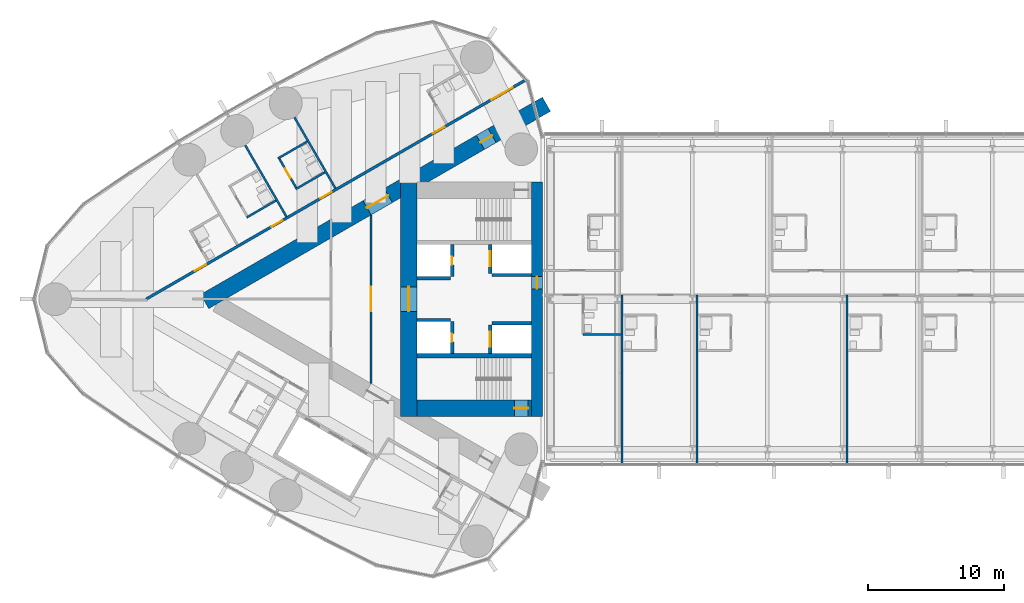
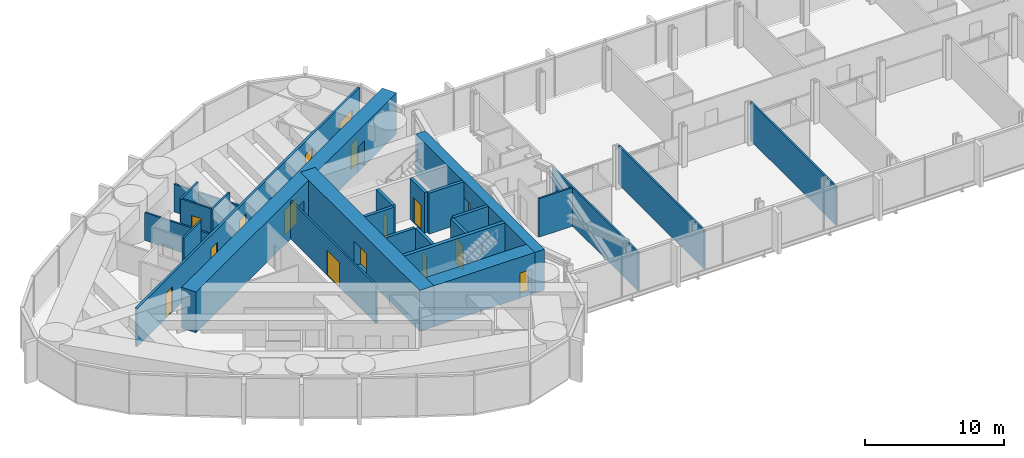
# One storey, part 16 of 24: 25 walls, 16 doors, 16 openings.
"""IFC4 building model written with IfcOpenShell, lengths in metres."""

from ifc_helpers import new_model, si_unit, direction, frame, frame_2d, origin, place, context, subcontext, project, spatial, rectangle, extrude, material, layer, layer_set, type_object, element, fill, save


model = new_model("IFC4")

# Units and contexts
model_context = context("Model", 3, precision=1e-05, world=origin(), true_north=direction((0.0, 1.0)))
body_context = subcontext(model_context, "Body", "Model", "MODEL_VIEW")
ifc_project = project(units=[si_unit("LENGTHUNIT", "METRE"), si_unit("AREAUNIT", "SQUARE_METRE"), si_unit("VOLUMEUNIT", "CUBIC_METRE"), si_unit("PLANEANGLEUNIT", "RADIAN"), si_unit("MASSUNIT", "GRAM", prefix="KILO")], contexts=[model_context])

# Site, building, storey
site_placement = place(None, origin())
site = spatial("IfcSite", under=ifc_project, at=site_placement, CompositionType="ELEMENT")
building_placement = place(site_placement, origin())
building = spatial("IfcBuilding", under=site, at=building_placement, Name="Lancet Gate Hotel", CompositionType="ELEMENT")
storey_placement = place(building_placement, frame((0.0, 0.0, 236.89990234375)))
storey = spatial("IfcBuildingStorey", under=building, at=storey_placement, Name="L63", CompositionType="ELEMENT", Elevation=236.89990234375)

# Wall
ifc_material_1 = material(Name="Moisture resistant board partition")
ifc_layer_1 = layer(ifc_material_1, 0.14990234375)
ifc_layer_set_1 = layer_set([ifc_layer_1], Name="Bathroom wall 150")
wall_type_1 = type_object("IfcWallType", Name="Bathroom wall 150", PredefinedType="PARTITIONING", material=ifc_layer_set_1)
wall_1_placement = place(storey_placement, frame((-44.745361328125, 11.560302734375, 0.0), z_axis=(0.0, 0.0, 1.0), x_axis=(-0.866006523861, -0.500032699561, 0.0)))
element("IfcWall", 1, at=wall_1_placement, inside=storey, type_object=wall_type_1, Name="T1 bathroom wall 150 L63", PredefinedType="PARTITIONING", context=body_context, shape_type="SweptSolid", body=[
    extrude(rectangle(XDim=2.474853515625, YDim=0.14990234375, at=frame_2d((1.2373046875, 0.0))), origin(), (0.0, 0.0, 1.0), 3.35009765625),
])

# Wall, opening, door
wall_2_placement = place(storey_placement, frame((-45.52392578125, 8.108642578125, 0.0), z_axis=(0.0, 0.0, 1.0), x_axis=(-0.49997716683, 0.86603858612, 0.0)))
wall_2 = element("IfcWall", 2, at=wall_2_placement, inside=storey, type_object=wall_type_1, Name="T1 bathroom wall 150 L63", PredefinedType="PARTITIONING", context=body_context, shape_type="SweptSolid", body=[
    extrude(rectangle(XDim=2.599609375, YDim=0.14990234375, at=frame_2d((1.2998046875, 0.0))), origin(), (0.0, 0.0, 1.0), 3.35009765625),
])
opening_1_placement = place(wall_2_placement, frame((0.89990234375, 0.0, 0.0)))
opening_1 = element("IfcOpeningElement", 3, at=opening_1_placement, cuts=wall_2, Name="Opening 6303-B", PredefinedType="OPENING", context=body_context, shape_type="SweptSolid", body=[
    extrude(rectangle(XDim=0.800048828125, YDim=2.199951171875, at=frame_2d((0.39990234375, 1.10009765625))), frame((0.0, 0.0849609375, 0.0), z_axis=(0.0, -1.0, 0.0), x_axis=(1.0, 0.0, 0.0)), (0.0, 0.0, 1.0), 0.169921875),
])
ifc_material_2 = material(Name="Timber door set", Category="wood")
door_type_1 = type_object("IfcDoorType", Name="Bathroom door 800", OperationType="SINGLE_SWING_RIGHT", PredefinedType="DOOR", material=ifc_material_2)
door_1_placement = place(opening_1_placement, origin())
door_1 = element("IfcDoor", 4, at=door_1_placement, inside=storey, type_object=door_type_1, Name="6303-B", OperationType="SINGLE_SWING_RIGHT", OverallHeight=2.199951171875, OverallWidth=0.800048828125, PredefinedType="DOOR", context=body_context, shape_type="SweptSolid", body=[
    extrude(rectangle(XDim=0.800048828125, YDim=2.199951171875, at=frame_2d((0.39990234375, 1.10009765625))), frame((0.0, 0.02490234375, 0.0), z_axis=(0.0, -1.0, 0.0), x_axis=(1.0, 0.0, 0.0)), (0.0, 0.0, 1.0), 0.050048828125),
])
fill(opening_1, door_1)

# Walls
for number, where, z_axis, x_axis, name in (
    (5, (-43.4453125, 9.30859375, 0.0), (0.0, 0.0, 1.0), (-0.866031185235, -0.4999899861, 0.0), "T1 bathroom wall 150 L63"),
    (6, (-47.03857421875, 7.23388671875, 0.0), (0.0, 0.0, 1.0), (-0.866073894602, -0.499916002032, 0.0), "T1 bathroom wall 150 L63"),
):
    element("IfcWall", number, at=place(storey_placement, frame(where, z_axis=z_axis, x_axis=x_axis)), inside=storey, type_object=wall_type_1, Name=name, PredefinedType="PARTITIONING", context=body_context, shape_type="SweptSolid", body=[
        extrude(rectangle(XDim=2.47509765625, YDim=0.14990234375, at=frame_2d((1.237548828125, 0.0))), origin(), (0.0, 0.0, 1.0), 3.35009765625),
    ])
wall_3_placement = place(storey_placement, frame((-24.52490234375, -2.574951171875, 0.0), z_axis=(0.0, 0.0, 1.0), x_axis=(1.0, 0.0, 0.0)))
element("IfcWall", 7, at=wall_3_placement, inside=storey, type_object=wall_type_1, Name="Bridge block bathroom wall 150 L63", PredefinedType="PARTITIONING", context=body_context, shape_type="SweptSolid", body=[
    extrude(rectangle(XDim=2.7998046875, YDim=0.14990234375, at=frame_2d((1.39990234375, 0.0))), origin(), (0.0, 0.0, 1.0), 3.400146484375),
])

# Wall, openings, doors
ifc_material_3 = material(Name="Concrete C70/85", Category="concrete")
ifc_layer_2 = layer(ifc_material_3, 1.199951171875)
ifc_layer_set_2 = layer_set([ifc_layer_2], Name="Buttress wall 1200")
wall_type_2 = type_object("IfcWallType", Name="Buttress wall 1200", PredefinedType="SHEAR", material=ifc_layer_set_2)
wall_4_placement = place(storey_placement, frame((-27.199951171875, 14.300048828125, 0.0), z_axis=(0.0, 0.0, 1.0), x_axis=(-0.866026593062, -0.499997940104, 0.0)))
wall_4 = element("IfcWall", 8, at=wall_4_placement, inside=storey, type_object=wall_type_2, Name="T1 buttress wall S L63", PredefinedType="SHEAR", context=body_context, shape_type="SweptSolid", body=[
    extrude(rectangle(XDim=28.9462890625, YDim=1.199951171875, at=frame_2d((14.47314453125, 0.0))), origin(), (0.0, 0.0, 1.0), 3.60009765625),
])
opening_2_placement = place(wall_4_placement, frame((4.60009765625, 0.0, 0.0)))
opening_2 = element("IfcOpeningElement", 9, at=opening_2_placement, cuts=wall_4, Name="Opening T1-L63-LS", PredefinedType="OPENING", context=body_context, shape_type="SweptSolid", body=[
    extrude(rectangle(XDim=1.0, YDim=2.199951171875, at=frame_2d((0.5, 1.10009765625))), frame((0.0, 0.60986328125, 0.0), z_axis=(0.0, -1.0, 0.0), x_axis=(1.0, 0.0, 0.0)), (0.0, 0.0, 1.0), 1.219970703125),
])
opening_3_placement = place(wall_4_placement, frame((13.39453125, 0.0, 0.0)))
opening_3 = element("IfcOpeningElement", 10, at=opening_3_placement, cuts=wall_4, Name="Opening T1-L63-LHS", PredefinedType="OPENING", context=body_context, shape_type="SweptSolid", body=[
    extrude(rectangle(XDim=1.800048828125, YDim=2.199951171875, at=frame_2d((0.89990234375, 1.10009765625))), frame((0.0, 0.60986328125, 0.0), z_axis=(0.0, -1.0, 0.0), x_axis=(1.0, 0.0, 0.0)), (0.0, 0.0, 1.0), 1.219970703125),
])
ifc_material_4 = material(Name="Timber door set", Category="wood")
door_type_2 = type_object("IfcDoorType", Name="Lobby double door 1800", OperationType="DOUBLE_DOOR_SINGLE_SWING", PredefinedType="DOOR", material=ifc_material_4)
door_2_placement = place(opening_3_placement, origin())
door_2 = element("IfcDoor", 11, at=door_2_placement, inside=storey, type_object=door_type_2, Name="T1-L63-LHS", OperationType="DOUBLE_DOOR_SINGLE_SWING", OverallHeight=2.199951171875, OverallWidth=1.800048828125, PredefinedType="DOOR", context=body_context, shape_type="SweptSolid", body=[
    extrude(rectangle(XDim=1.800048828125, YDim=2.199951171875, at=frame_2d((0.89990234375, 1.10009765625))), frame((0.0, 0.02490234375, 0.0), z_axis=(0.0, -1.0, 0.0), x_axis=(1.0, 0.0, 0.0)), (0.0, 0.0, 1.0), 0.050048828125),
])
fill(opening_3, door_2)
ifc_material_5 = material(Name="Timber door set", Category="wood")
door_type_3 = type_object("IfcDoorType", Name="Stair lobby door 1000", OperationType="SINGLE_SWING_LEFT", PredefinedType="DOOR", material=ifc_material_5)
door_3_placement = place(opening_2_placement, origin())
door_3 = element("IfcDoor", 12, at=door_3_placement, inside=storey, type_object=door_type_3, Name="T1-L63-LS", OperationType="SINGLE_SWING_LEFT", OverallHeight=2.199951171875, OverallWidth=1.0, PredefinedType="DOOR", context=body_context, shape_type="SweptSolid", body=[
    extrude(rectangle(XDim=1.0, YDim=2.199951171875, at=frame_2d((0.5, 1.10009765625))), frame((0.0, 0.02490234375, 0.0), z_axis=(0.0, -1.0, 0.0), x_axis=(1.0, 0.0, 0.0)), (0.0, 0.0, 1.0), 0.050048828125),
])
fill(opening_2, door_3)

# Wall, opening, door
ifc_material_6 = material(Name="Concrete C70/85", Category="concrete")
ifc_layer_3 = layer(ifc_material_6, 1.199951171875)
ifc_layer_set_3 = layer_set([ifc_layer_3], Name="Core wall 1200")
wall_type_3 = type_object("IfcWallType", Name="Core wall 1200", PredefinedType="SHEAR", material=ifc_layer_set_3)
wall_5_placement = place(storey_placement, frame((-37.300048828125, 8.60009765625, 0.0), z_axis=(0.0, 0.0, 1.0), x_axis=(0.0, -1.0, 0.0)))
wall_5 = element("IfcWall", 13, at=wall_5_placement, inside=storey, type_object=wall_type_3, Name="T1 core wall back L63", PredefinedType="SHEAR", context=body_context, shape_type="SweptSolid", body=[
    extrude(rectangle(XDim=17.2001953125, YDim=1.199951171875, at=frame_2d((8.60009765625, 0.0))), origin(), (0.0, 0.0, 1.0), 3.60009765625),
])
opening_4_placement = place(wall_5_placement, frame((7.699951171875, 0.0, 0.0)))
opening_4 = element("IfcOpeningElement", 14, at=opening_4_placement, cuts=wall_5, Name="Opening T1-L63-LL", PredefinedType="OPENING", context=body_context, shape_type="SweptSolid", body=[
    extrude(rectangle(XDim=1.800048828125, YDim=2.199951171875, at=frame_2d((0.89990234375, 1.10009765625))), frame((0.0, 0.60986328125, 0.0), z_axis=(0.0, -1.0, 0.0), x_axis=(1.0, 0.0, 0.0)), (0.0, 0.0, 1.0), 1.219970703125),
])
door_4_placement = place(opening_4_placement, origin())
door_4 = element("IfcDoor", 15, at=door_4_placement, inside=storey, type_object=door_type_2, Name="T1-L63-LL", OperationType="DOUBLE_DOOR_SINGLE_SWING", OverallHeight=2.199951171875, OverallWidth=1.800048828125, PredefinedType="DOOR", context=body_context, shape_type="SweptSolid", body=[
    extrude(rectangle(XDim=1.800048828125, YDim=2.199951171875, at=frame_2d((0.89990234375, 1.10009765625))), frame((0.0, 0.02490234375, 0.0), z_axis=(0.0, -1.0, 0.0), x_axis=(1.0, 0.0, 0.0)), (0.0, 0.0, 1.0), 0.050048828125),
])
fill(opening_4, door_4)

wall_6_placement = place(storey_placement, frame((-28.300048828125, -8.0, 0.0), z_axis=(0.0, 0.0, 1.0), x_axis=(-1.0, 0.0, 0.0)))
wall_6 = element("IfcWall", 16, at=wall_6_placement, inside=storey, type_object=wall_type_3, Name="T1 core wall side-N L63", PredefinedType="SHEAR", context=body_context, shape_type="SweptSolid", body=[
    extrude(rectangle(XDim=8.39990234375, YDim=1.199951171875, at=frame_2d((4.199951171875, 0.0))), origin(), (0.0, 0.0, 1.0), 3.60009765625),
])
opening_5_placement = place(wall_6_placement, frame((0.25, 0.0, 0.0)))
opening_5 = element("IfcOpeningElement", 17, at=opening_5_placement, cuts=wall_6, Name="Opening T1-L63-ST2", PredefinedType="OPENING", context=body_context, shape_type="SweptSolid", body=[
    extrude(rectangle(XDim=1.0, YDim=2.199951171875, at=frame_2d((0.5, 1.10009765625))), frame((0.0, 0.60986328125, 0.0), z_axis=(0.0, -1.0, 0.0), x_axis=(1.0, 0.0, 0.0)), (0.0, 0.0, 1.0), 1.219970703125),
])
ifc_material_7 = material(Name="Timber door set", Category="wood")
door_type_4 = type_object("IfcDoorType", Name="Stair door 1000", OperationType="SINGLE_SWING_RIGHT", PredefinedType="DOOR", material=ifc_material_7)
door_5_placement = place(opening_5_placement, origin())
door_5 = element("IfcDoor", 18, at=door_5_placement, inside=storey, type_object=door_type_4, Name="T1-L63-ST2", OperationType="SINGLE_SWING_RIGHT", OverallHeight=2.199951171875, OverallWidth=1.0, PredefinedType="DOOR", context=body_context, shape_type="SweptSolid", body=[
    extrude(rectangle(XDim=1.0, YDim=2.199951171875, at=frame_2d((0.5, 1.10009765625))), frame((0.0, 0.02490234375, 0.0), z_axis=(0.0, -1.0, 0.0), x_axis=(1.0, 0.0, 0.0)), (0.0, 0.0, 1.0), 0.050048828125),
])
fill(opening_5, door_5)

ifc_material_8 = material(Name="Concrete C70/85", Category="concrete")
ifc_layer_4 = layer(ifc_material_8, 0.800048828125)
ifc_layer_set_4 = layer_set([ifc_layer_4], Name="Core wall 800")
wall_type_4 = type_object("IfcWallType", Name="Core wall 800", PredefinedType="SHEAR", material=ifc_layer_set_4)
wall_7_placement = place(storey_placement, frame((-27.89990234375, 8.60009765625, 0.0), z_axis=(0.0, 0.0, 1.0), x_axis=(0.0, -1.0, 0.0)))
wall_7 = element("IfcWall", 19, at=wall_7_placement, inside=storey, type_object=wall_type_4, Name="T1 core wall front L63", PredefinedType="SHEAR", context=body_context, shape_type="SweptSolid", body=[
    extrude(rectangle(XDim=17.2001953125, YDim=0.800048828125, at=frame_2d((8.60009765625, 0.0))), origin(), (0.0, 0.0, 1.0), 3.60009765625),
])
opening_6_placement = place(wall_7_placement, frame((6.949951171875, 0.0, 0.0)))
opening_6 = element("IfcOpeningElement", 20, at=opening_6_placement, cuts=wall_7, Name="Opening T1-L63-BR", PredefinedType="OPENING", context=body_context, shape_type="SweptSolid", body=[
    extrude(rectangle(XDim=0.89990234375, YDim=2.199951171875, at=frame_2d((0.449951171875, 1.10009765625))), frame((0.0, 0.409912109375, 0.0), z_axis=(0.0, -1.0, 0.0), x_axis=(1.0, 0.0, 0.0)), (0.0, 0.0, 1.0), 0.820068359375),
])
ifc_material_9 = material(Name="Steel door set", Category="steel")
door_type_5 = type_object("IfcDoorType", Name="Bridge fire door 900", OperationType="SINGLE_SWING_LEFT", PredefinedType="DOOR", material=ifc_material_9)
door_6_placement = place(opening_6_placement, origin())
door_6 = element("IfcDoor", 21, at=door_6_placement, inside=storey, type_object=door_type_5, Name="T1-L63-BR", OperationType="SINGLE_SWING_LEFT", OverallHeight=2.199951171875, OverallWidth=0.89990234375, PredefinedType="DOOR", context=body_context, shape_type="SweptSolid", body=[
    extrude(rectangle(XDim=0.89990234375, YDim=2.199951171875, at=frame_2d((0.449951171875, 1.10009765625))), frame((0.0, 0.02490234375, 0.0), z_axis=(0.0, -1.0, 0.0), x_axis=(1.0, 0.0, 0.0)), (0.0, 0.0, 1.0), 0.050048828125),
])
fill(opening_6, door_6)

# Wall, openings, doors
ifc_material_10 = material(Name="Gypsum board partition")
ifc_layer_5 = layer(ifc_material_10, 0.199951171875)
ifc_layer_set_5 = layer_set([ifc_layer_5], Name="Corridor wall 200")
wall_type_5 = type_object("IfcWallType", Name="Corridor wall 200", PredefinedType="PARTITIONING", material=ifc_layer_set_5)
wall_8_placement = place(storey_placement, frame((-28.737060546875, 16.068359375, 0.0), z_axis=(0.0, 0.0, 1.0), x_axis=(-0.866026057212, -0.499998868229, 0.0)))
wall_8 = element("IfcWall", 22, at=wall_8_placement, inside=storey, type_object=wall_type_5, Name="T1 corridor wall 200 L63", PredefinedType="PARTITIONING", context=body_context, shape_type="SweptSolid", body=[
    extrude(rectangle(XDim=32.13671875, YDim=0.199951171875, at=frame_2d((16.068359375, 0.0))), origin(), (0.0, 0.0, 1.0), 3.35009765625),
])
opening_7_placement = place(wall_8_placement, frame((1.080078125, 0.0, 0.0)))
opening_7 = element("IfcOpeningElement", 23, at=opening_7_placement, cuts=wall_8, Name="Opening 6301-E", PredefinedType="OPENING", context=body_context, shape_type="SweptSolid", body=[
    extrude(rectangle(XDim=1.800048828125, YDim=2.030029296875, at=frame_2d((0.89990234375, 1.01513671875))), frame((0.0, 0.10986328125, 0.0), z_axis=(0.0, -1.0, 0.0), x_axis=(1.0, 0.0, 0.0)), (0.0, 0.0, 1.0), 0.219970703125),
])
opening_8_placement = place(wall_8_placement, frame((6.860107421875, 0.0, 0.0)))
opening_8 = element("IfcOpeningElement", 24, at=opening_8_placement, cuts=wall_8, Name="Opening 6302-E", PredefinedType="OPENING", context=body_context, shape_type="SweptSolid", body=[
    extrude(rectangle(XDim=1.0, YDim=2.199951171875, at=frame_2d((0.5, 1.10009765625))), frame((0.0, 0.10986328125, 0.0), z_axis=(0.0, -1.0, 0.0), x_axis=(1.0, 0.0, 0.0)), (0.0, 0.0, 1.0), 0.219970703125),
])
opening_9_placement = place(wall_8_placement, frame((16.417724609375, 0.0, 0.0)))
opening_9 = element("IfcOpeningElement", 25, at=opening_9_placement, cuts=wall_8, Name="Opening 6303-E", PredefinedType="OPENING", context=body_context, shape_type="SweptSolid", body=[
    extrude(rectangle(XDim=0.949951171875, YDim=2.199951171875, at=frame_2d((0.47509765625, 1.10009765625))), frame((0.0, 0.10986328125, 0.0), z_axis=(0.0, -1.0, 0.0), x_axis=(1.0, 0.0, 0.0)), (0.0, 0.0, 1.0), 0.219970703125),
])
opening_10_placement = place(wall_8_placement, frame((20.56689453125, 0.0, 0.0)))
opening_10 = element("IfcOpeningElement", 26, at=opening_10_placement, cuts=wall_8, Name="Opening 6304-E", PredefinedType="OPENING", context=body_context, shape_type="SweptSolid", body=[
    extrude(rectangle(XDim=0.949951171875, YDim=2.199951171875, at=frame_2d((0.47509765625, 1.10009765625))), frame((0.0, 0.10986328125, 0.0), z_axis=(0.0, -1.0, 0.0), x_axis=(1.0, 0.0, 0.0)), (0.0, 0.0, 1.0), 0.219970703125),
])
opening_11_placement = place(wall_8_placement, frame((27.0654296875, 0.0, 0.0)))
opening_11 = element("IfcOpeningElement", 27, at=opening_11_placement, cuts=wall_8, Name="Opening 6305-E", PredefinedType="OPENING", context=body_context, shape_type="SweptSolid", body=[
    extrude(rectangle(XDim=0.949951171875, YDim=2.199951171875, at=frame_2d((0.47509765625, 1.10009765625))), frame((0.0, 0.10986328125, 0.0), z_axis=(0.0, -1.0, 0.0), x_axis=(1.0, 0.0, 0.0)), (0.0, 0.0, 1.0), 0.219970703125),
])
ifc_material_11 = material(Name="Timber door set", Category="wood")
door_type_6 = type_object("IfcDoorType", Name="Accessible guest room door 1000", OperationType="SINGLE_SWING_LEFT", PredefinedType="DOOR", material=ifc_material_11)
door_7_placement = place(opening_8_placement, origin())
door_7 = element("IfcDoor", 28, at=door_7_placement, inside=storey, type_object=door_type_6, Name="6302-E", OperationType="SINGLE_SWING_LEFT", OverallHeight=2.199951171875, OverallWidth=1.0, PredefinedType="DOOR", context=body_context, shape_type="SweptSolid", body=[
    extrude(rectangle(XDim=1.0, YDim=2.199951171875, at=frame_2d((0.5, 1.10009765625))), frame((0.0, 0.02490234375, 0.0), z_axis=(0.0, -1.0, 0.0), x_axis=(1.0, 0.0, 0.0)), (0.0, 0.0, 1.0), 0.050048828125),
])
fill(opening_8, door_7)
ifc_material_12 = material(Name="Timber door set", Category="wood")
door_type_7 = type_object("IfcDoorType", Name="Double door 1800, 2030 high", OperationType="DOUBLE_DOOR_SINGLE_SWING", PredefinedType="DOOR", material=ifc_material_12)
door_8_placement = place(opening_7_placement, origin())
door_8 = element("IfcDoor", 29, at=door_8_placement, inside=storey, type_object=door_type_7, Name="6301-E", OperationType="DOUBLE_DOOR_SINGLE_SWING", OverallHeight=2.030029296875, OverallWidth=1.800048828125, PredefinedType="DOOR", context=body_context, shape_type="SweptSolid", body=[
    extrude(rectangle(XDim=1.800048828125, YDim=2.030029296875, at=frame_2d((0.89990234375, 1.01513671875))), frame((0.0, 0.02490234375, 0.0), z_axis=(0.0, -1.0, 0.0), x_axis=(1.0, 0.0, 0.0)), (0.0, 0.0, 1.0), 0.050048828125),
])
fill(opening_7, door_8)
ifc_material_13 = material(Name="Timber door set", Category="wood")
door_type_8 = type_object("IfcDoorType", Name="Guest room entry door 950", OperationType="SINGLE_SWING_LEFT", PredefinedType="DOOR", material=ifc_material_13)
door_9_placement = place(opening_9_placement, origin())
door_9 = element("IfcDoor", 30, at=door_9_placement, inside=storey, type_object=door_type_8, Name="6303-E", OperationType="SINGLE_SWING_LEFT", OverallHeight=2.199951171875, OverallWidth=0.949951171875, PredefinedType="DOOR", context=body_context, shape_type="SweptSolid", body=[
    extrude(rectangle(XDim=0.949951171875, YDim=2.199951171875, at=frame_2d((0.47509765625, 1.10009765625))), frame((0.0, 0.02490234375, 0.0), z_axis=(0.0, -1.0, 0.0), x_axis=(1.0, 0.0, 0.0)), (0.0, 0.0, 1.0), 0.050048828125),
])
fill(opening_9, door_9)
door_10_placement = place(opening_10_placement, origin())
door_10 = element("IfcDoor", 31, at=door_10_placement, inside=storey, type_object=door_type_8, Name="6304-E", OperationType="SINGLE_SWING_LEFT", OverallHeight=2.199951171875, OverallWidth=0.949951171875, PredefinedType="DOOR", context=body_context, shape_type="SweptSolid", body=[
    extrude(rectangle(XDim=0.949951171875, YDim=2.199951171875, at=frame_2d((0.47509765625, 1.10009765625))), frame((0.0, 0.02490234375, 0.0), z_axis=(0.0, -1.0, 0.0), x_axis=(1.0, 0.0, 0.0)), (0.0, 0.0, 1.0), 0.050048828125),
])
fill(opening_10, door_10)
door_11_placement = place(opening_11_placement, origin())
door_11 = element("IfcDoor", 32, at=door_11_placement, inside=storey, type_object=door_type_8, Name="6305-E", OperationType="SINGLE_SWING_LEFT", OverallHeight=2.199951171875, OverallWidth=0.949951171875, PredefinedType="DOOR", context=body_context, shape_type="SweptSolid", body=[
    extrude(rectangle(XDim=0.949951171875, YDim=2.199951171875, at=frame_2d((0.47509765625, 1.10009765625))), frame((0.0, 0.02490234375, 0.0), z_axis=(0.0, -1.0, 0.0), x_axis=(1.0, 0.0, 0.0)), (0.0, 0.0, 1.0), 0.050048828125),
])
fill(opening_11, door_11)

# Wall, opening, door
ifc_material_14 = material(Name="Concrete C50/60", Category="concrete")
ifc_layer_6 = layer(ifc_material_14, 0.25)
ifc_layer_set_6 = layer_set([ifc_layer_6], Name="Lift shaft wall 250")
wall_type_6 = type_object("IfcWallType", Name="Lift shaft wall 250", PredefinedType="SHEAR", material=ifc_layer_set_6)
wall_9_placement = place(storey_placement, frame((-31.324951171875, 4.0, 0.0), z_axis=(0.0, 0.0, 1.0), x_axis=(0.0, -1.0, 0.0)))
wall_9 = element("IfcWall", 33, at=wall_9_placement, inside=storey, type_object=wall_type_6, Name="T1 core wall row1-S L63", PredefinedType="SHEAR", context=body_context, shape_type="SweptSolid", body=[
    extrude(rectangle(XDim=2.10009765625, YDim=0.25, at=frame_2d((1.050048828125, 0.0))), origin(), (0.0, 0.0, 1.0), 3.60009765625),
])
opening_12_placement = place(wall_9_placement, frame((0.5, 0.0, 0.0)))
opening_12 = element("IfcOpeningElement", 34, at=opening_12_placement, cuts=wall_9, Name="Opening T1-SL1-L63", PredefinedType="OPENING", context=body_context, shape_type="SweptSolid", body=[
    extrude(rectangle(XDim=1.10009765625, YDim=2.199951171875, at=frame_2d((0.550048828125, 1.10009765625))), frame((0.0, 0.135009765625, 0.0), z_axis=(0.0, -1.0, 0.0), x_axis=(1.0, 0.0, 0.0)), (0.0, 0.0, 1.0), 0.27001953125),
])
ifc_material_15 = material(Name="Timber door set", Category="wood")
door_type_9 = type_object("IfcDoorType", Name="Service lift landing door 1100", OperationType="SLIDING_TO_LEFT", PredefinedType="USERDEFINED", material=ifc_material_15)
door_12_placement = place(opening_12_placement, origin())
door_12 = element("IfcDoor", 35, at=door_12_placement, inside=storey, type_object=door_type_9, Name="T1-SL1-L63", ObjectType="LIFT LANDING DOOR", OperationType="SLIDING_TO_LEFT", OverallHeight=2.199951171875, OverallWidth=1.10009765625, PredefinedType="USERDEFINED", context=body_context, shape_type="SweptSolid", body=[
    extrude(rectangle(XDim=1.10009765625, YDim=2.199951171875, at=frame_2d((0.550048828125, 1.10009765625))), frame((0.0, 0.02490234375, 0.0), z_axis=(0.0, -1.0, 0.0), x_axis=(1.0, 0.0, 0.0)), (0.0, 0.0, 1.0), 0.050048828125),
])
fill(opening_12, door_12)

wall_10_placement = place(storey_placement, frame((-34.125, 4.0, 0.0), z_axis=(0.0, 0.0, 1.0), x_axis=(0.0, -1.0, 0.0)))
wall_10 = element("IfcWall", 36, at=wall_10_placement, inside=storey, type_object=wall_type_6, Name="T1 core wall row2-S L63", PredefinedType="SHEAR", context=body_context, shape_type="SweptSolid", body=[
    extrude(rectangle(XDim=2.35009765625, YDim=0.25, at=frame_2d((1.175048828125, 0.0))), origin(), (0.0, 0.0, 1.0), 3.60009765625),
])
opening_13_placement = place(wall_10_placement, frame((0.875, 0.0, 0.0)))
opening_13 = element("IfcOpeningElement", 37, at=opening_13_placement, cuts=wall_10, Name="Opening T1-OL3-L63-E", PredefinedType="OPENING", context=body_context, shape_type="SweptSolid", body=[
    extrude(rectangle(XDim=0.60009765625, YDim=2.0, at=frame_2d((0.300048828125, 1.0))), frame((0.0, 0.135009765625, 0.0), z_axis=(0.0, -1.0, 0.0), x_axis=(1.0, 0.0, 0.0)), (0.0, 0.0, 1.0), 0.27001953125),
])
ifc_material_16 = material(Name="Steel door set", Category="steel")
door_type_10 = type_object("IfcDoorType", Name="Lift shaft emergency door 600x2000", OperationType="SLIDING_TO_LEFT", PredefinedType="DOOR", material=ifc_material_16)
door_13_placement = place(opening_13_placement, origin())
door_13 = element("IfcDoor", 38, at=door_13_placement, inside=storey, type_object=door_type_10, Name="T1-OL3-L63-E", OperationType="SLIDING_TO_LEFT", OverallHeight=2.0, OverallWidth=0.60009765625, PredefinedType="DOOR", context=body_context, shape_type="SweptSolid", body=[
    extrude(rectangle(XDim=0.60009765625, YDim=2.0, at=frame_2d((0.300048828125, 1.0))), frame((0.0, 0.02490234375, 0.0), z_axis=(0.0, -1.0, 0.0), x_axis=(1.0, 0.0, 0.0)), (0.0, 0.0, 1.0), 0.050048828125),
])
fill(opening_13, door_13)

# Walls
wall_11_placement = place(storey_placement, frame((-28.300048828125, 1.77490234375, 0.0), z_axis=(0.0, 0.0, 1.0), x_axis=(-1.0, 0.0, 0.0)))
element("IfcWall", 39, at=wall_11_placement, inside=storey, type_object=wall_type_6, Name="T1 core wall pass1-S L63", PredefinedType="SHEAR", context=body_context, shape_type="SweptSolid", body=[
    extrude(rectangle(XDim=2.89990234375, YDim=0.25, at=frame_2d((1.449951171875, 0.0))), origin(), (0.0, 0.0, 1.0), 3.60009765625),
])
wall_12_placement = place(storey_placement, frame((-34.25, 1.52490234375, 0.0), z_axis=(0.0, 0.0, 1.0), x_axis=(-1.0, 0.0, 0.0)))
element("IfcWall", 40, at=wall_12_placement, inside=storey, type_object=wall_type_6, Name="T1 core wall pass2-S L63", PredefinedType="SHEAR", context=body_context, shape_type="SweptSolid", body=[
    extrude(rectangle(XDim=2.449951171875, YDim=0.25, at=frame_2d((1.22509765625, 0.0))), origin(), (0.0, 0.0, 1.0), 3.60009765625),
])

# Wall, opening, door
wall_13_placement = place(storey_placement, frame((-31.324951171875, -1.89990234375, 0.0), z_axis=(0.0, 0.0, 1.0), x_axis=(0.0, -1.0, 0.0)))
wall_13 = element("IfcWall", 41, at=wall_13_placement, inside=storey, type_object=wall_type_6, Name="T1 core wall row1-N L63", PredefinedType="SHEAR", context=body_context, shape_type="SweptSolid", body=[
    extrude(rectangle(XDim=2.10009765625, YDim=0.25, at=frame_2d((1.050048828125, 0.0))), origin(), (0.0, 0.0, 1.0), 3.60009765625),
])
opening_14_placement = place(wall_13_placement, frame((0.5, 0.0, 0.0)))
opening_14 = element("IfcOpeningElement", 42, at=opening_14_placement, cuts=wall_13, Name="Opening T1-FL2-L63", PredefinedType="OPENING", context=body_context, shape_type="SweptSolid", body=[
    extrude(rectangle(XDim=1.10009765625, YDim=2.199951171875, at=frame_2d((0.550048828125, 1.10009765625))), frame((0.0, 0.135009765625, 0.0), z_axis=(0.0, -1.0, 0.0), x_axis=(1.0, 0.0, 0.0)), (0.0, 0.0, 1.0), 0.27001953125),
])
ifc_material_17 = material(Name="Steel door set", Category="steel")
door_type_11 = type_object("IfcDoorType", Name="Firefighting lift landing door 1100", OperationType="SLIDING_TO_LEFT", PredefinedType="USERDEFINED", material=ifc_material_17)
door_14_placement = place(opening_14_placement, origin())
door_14 = element("IfcDoor", 43, at=door_14_placement, inside=storey, type_object=door_type_11, Name="T1-FL2-L63", ObjectType="LIFT LANDING DOOR", OperationType="SLIDING_TO_LEFT", OverallHeight=2.199951171875, OverallWidth=1.10009765625, PredefinedType="USERDEFINED", context=body_context, shape_type="SweptSolid", body=[
    extrude(rectangle(XDim=1.10009765625, YDim=2.199951171875, at=frame_2d((0.550048828125, 1.10009765625))), frame((0.0, 0.02490234375, 0.0), z_axis=(0.0, -1.0, 0.0), x_axis=(1.0, 0.0, 0.0)), (0.0, 0.0, 1.0), 0.050048828125),
])
fill(opening_14, door_14)

wall_14_placement = place(storey_placement, frame((-34.125, -1.64990234375, 0.0), z_axis=(0.0, 0.0, 1.0), x_axis=(0.0, -1.0, 0.0)))
wall_14 = element("IfcWall", 44, at=wall_14_placement, inside=storey, type_object=wall_type_6, Name="T1 core wall row2-N L63", PredefinedType="SHEAR", context=body_context, shape_type="SweptSolid", body=[
    extrude(rectangle(XDim=2.35009765625, YDim=0.25, at=frame_2d((1.175048828125, 0.0))), origin(), (0.0, 0.0, 1.0), 3.60009765625),
])
opening_15_placement = place(wall_14_placement, frame((0.875, 0.0, 0.0)))
opening_15 = element("IfcOpeningElement", 45, at=opening_15_placement, cuts=wall_14, Name="Opening T1-OL4-L63-E", PredefinedType="OPENING", context=body_context, shape_type="SweptSolid", body=[
    extrude(rectangle(XDim=0.60009765625, YDim=2.0, at=frame_2d((0.300048828125, 1.0))), frame((0.0, 0.135009765625, 0.0), z_axis=(0.0, -1.0, 0.0), x_axis=(1.0, 0.0, 0.0)), (0.0, 0.0, 1.0), 0.27001953125),
])
door_15_placement = place(opening_15_placement, origin())
door_15 = element("IfcDoor", 46, at=door_15_placement, inside=storey, type_object=door_type_10, Name="T1-OL4-L63-E", OperationType="SLIDING_TO_LEFT", OverallHeight=2.0, OverallWidth=0.60009765625, PredefinedType="DOOR", context=body_context, shape_type="SweptSolid", body=[
    extrude(rectangle(XDim=0.60009765625, YDim=2.0, at=frame_2d((0.300048828125, 1.0))), frame((0.0, 0.02490234375, 0.0), z_axis=(0.0, -1.0, 0.0), x_axis=(1.0, 0.0, 0.0)), (0.0, 0.0, 1.0), 0.050048828125),
])
fill(opening_15, door_15)

# Walls
wall_15_placement = place(storey_placement, frame((-28.300048828125, -1.77490234375, 0.0), z_axis=(0.0, 0.0, 1.0), x_axis=(-1.0, 0.0, 0.0)))
element("IfcWall", 47, at=wall_15_placement, inside=storey, type_object=wall_type_6, Name="T1 core wall pass1-N L63", PredefinedType="SHEAR", context=body_context, shape_type="SweptSolid", body=[
    extrude(rectangle(XDim=2.89990234375, YDim=0.25, at=frame_2d((1.449951171875, 0.0))), origin(), (0.0, 0.0, 1.0), 3.60009765625),
])
wall_16_placement = place(storey_placement, frame((-34.25, -1.52490234375, 0.0), z_axis=(0.0, 0.0, 1.0), x_axis=(-1.0, 0.0, 0.0)))
element("IfcWall", 48, at=wall_16_placement, inside=storey, type_object=wall_type_6, Name="T1 core wall pass2-N L63", PredefinedType="SHEAR", context=body_context, shape_type="SweptSolid", body=[
    extrude(rectangle(XDim=2.449951171875, YDim=0.25, at=frame_2d((1.22509765625, 0.0))), origin(), (0.0, 0.0, 1.0), 3.60009765625),
])
ifc_material_18 = material(Name="Gypsum board partition")
ifc_layer_7 = layer(ifc_material_18, 0.14990234375)
ifc_layer_set_7 = layer_set([ifc_layer_7], Name="Party wall 150")
wall_type_7 = type_object("IfcWallType", Name="Party wall 150", PredefinedType="PARTITIONING", material=ifc_layer_set_7)
wall_17_placement = place(storey_placement, frame((-42.680419921875, 8.133544921875, 0.0), z_axis=(0.0, 0.0, 1.0), x_axis=(-0.499984479505, 0.866034364361, 0.0)))
element("IfcWall", 49, at=wall_17_placement, inside=storey, type_object=wall_type_7, Name="T1 party wall 150 L63", PredefinedType="PARTITIONING", context=body_context, shape_type="SweptSolid", body=[
    extrude(rectangle(XDim=5.995361328125, YDim=0.14990234375, at=frame_2d((2.99755859375, 0.0))), origin(), (0.0, 0.0, 1.0), 2.4501953125),
])
wall_18_placement = place(storey_placement, frame((-46.273681640625, 6.05908203125, 0.0), z_axis=(0.0, 0.0, 1.0), x_axis=(-0.500020471368, 0.866013584312, 0.0)))
element("IfcWall", 50, at=wall_18_placement, inside=storey, type_object=wall_type_7, Name="T1 party wall 150 L63", PredefinedType="PARTITIONING", context=body_context, shape_type="SweptSolid", body=[
    extrude(rectangle(XDim=6.027587890625, YDim=0.14990234375, at=frame_2d((3.013671875, 0.0))), origin(), (0.0, 0.0, 1.0), 2.4501953125),
])
for number, where, z_axis, x_axis, name in (
    (51, (-21.64990234375, -12.070068359375, 0.0), (0.0, 0.0, 1.0), (0.0, 1.0, 0.0), "Bridge block party wall 150 L63"),
    (52, (-16.14990234375, -12.070068359375, 0.0), (0.0, 0.0, 1.0), (0.0, 1.0, 0.0), "Bridge block party wall 150 L63"),
    (53, (-5.14990234375, -12.070068359375, 0.0), (0.0, 0.0, 1.0), (0.0, 1.0, 0.0), "Bridge block party wall 150 L63"),
):
    element("IfcWall", number, at=place(storey_placement, frame(where, z_axis=z_axis, x_axis=x_axis)), inside=storey, type_object=wall_type_7, Name=name, PredefinedType="PARTITIONING", context=body_context, shape_type="SweptSolid", body=[
        extrude(rectangle(XDim=12.3701171875, YDim=0.14990234375, at=frame_2d((6.18505859375, 0.0))), origin(), (0.0, 0.0, 1.0), 3.400146484375),
    ])

# Wall, opening, door
ifc_material_19 = material(Name="Gypsum board partition")
ifc_layer_8 = layer(ifc_material_19, 0.14990234375)
ifc_layer_set_8 = layer_set([ifc_layer_8], Name="Service room wall 150")
wall_type_8 = type_object("IfcWallType", Name="Service room wall 150", PredefinedType="PARTITIONING", material=ifc_layer_set_8)
wall_19_placement = place(storey_placement, frame((-40.074951171875, 6.173828125, 0.0), z_axis=(0.0, 0.0, 1.0), x_axis=(0.0, -1.0, 0.0)))
wall_19 = element("IfcWall", 54, at=wall_19_placement, inside=storey, type_object=wall_type_8, Name="T1 service room wall 150 L63", PredefinedType="PARTITIONING", context=body_context, shape_type="SweptSolid", body=[
    extrude(rectangle(XDim=12.34765625, YDim=0.14990234375, at=frame_2d((6.173828125, 0.0))), origin(), (0.0, 0.0, 1.0), 3.35009765625),
])
opening_16_placement = place(wall_19_placement, frame((5.273681640625, 0.0, 0.0)))
opening_16 = element("IfcOpeningElement", 55, at=opening_16_placement, cuts=wall_19, Name="Opening T1-L63-LH", PredefinedType="OPENING", context=body_context, shape_type="SweptSolid", body=[
    extrude(rectangle(XDim=1.800048828125, YDim=2.199951171875, at=frame_2d((0.89990234375, 1.10009765625))), frame((0.0, 0.0849609375, 0.0), z_axis=(0.0, -1.0, 0.0), x_axis=(1.0, 0.0, 0.0)), (0.0, 0.0, 1.0), 0.169921875),
])
door_16_placement = place(opening_16_placement, origin())
door_16 = element("IfcDoor", 56, at=door_16_placement, inside=storey, type_object=door_type_2, Name="T1-L63-LH", OperationType="DOUBLE_DOOR_SINGLE_SWING", OverallHeight=2.199951171875, OverallWidth=1.800048828125, PredefinedType="DOOR", context=body_context, shape_type="SweptSolid", body=[
    extrude(rectangle(XDim=1.800048828125, YDim=2.199951171875, at=frame_2d((0.89990234375, 1.10009765625))), frame((0.0, 0.02490234375, 0.0), z_axis=(0.0, -1.0, 0.0), x_axis=(1.0, 0.0, 0.0)), (0.0, 0.0, 1.0), 0.050048828125),
])
fill(opening_16, door_16)

# Wall
ifc_material_20 = material(Name="Concrete C50/60", Category="concrete")
ifc_layer_9 = layer(ifc_material_20, 0.300048828125)
ifc_layer_set_9 = layer_set([ifc_layer_9], Name="Stair enclosure wall 300")
wall_type_9 = type_object("IfcWallType", Name="Stair enclosure wall 300", PredefinedType="SHEAR", material=ifc_layer_set_9)
wall_20_placement = place(storey_placement, frame((-28.300048828125, -4.14990234375, 0.0), z_axis=(0.0, 0.0, 1.0), x_axis=(-1.0, 0.0, 0.0)))
element("IfcWall", 57, at=wall_20_placement, inside=storey, type_object=wall_type_9, Name="T1 core wall stair-N L63", PredefinedType="SHEAR", context=body_context, shape_type="SweptSolid", body=[
    extrude(rectangle(XDim=8.39990234375, YDim=0.300048828125, at=frame_2d((4.199951171875, 0.0))), origin(), (0.0, 0.0, 1.0), 3.60009765625),
])

save(model, "model.ifc")
